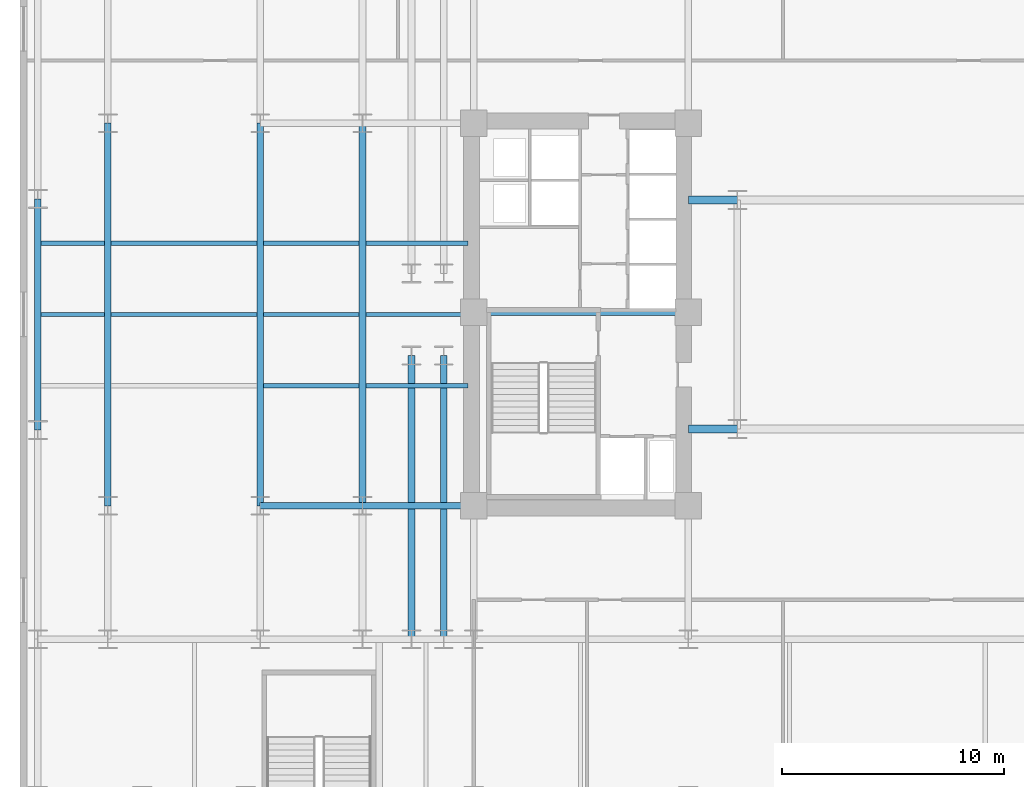
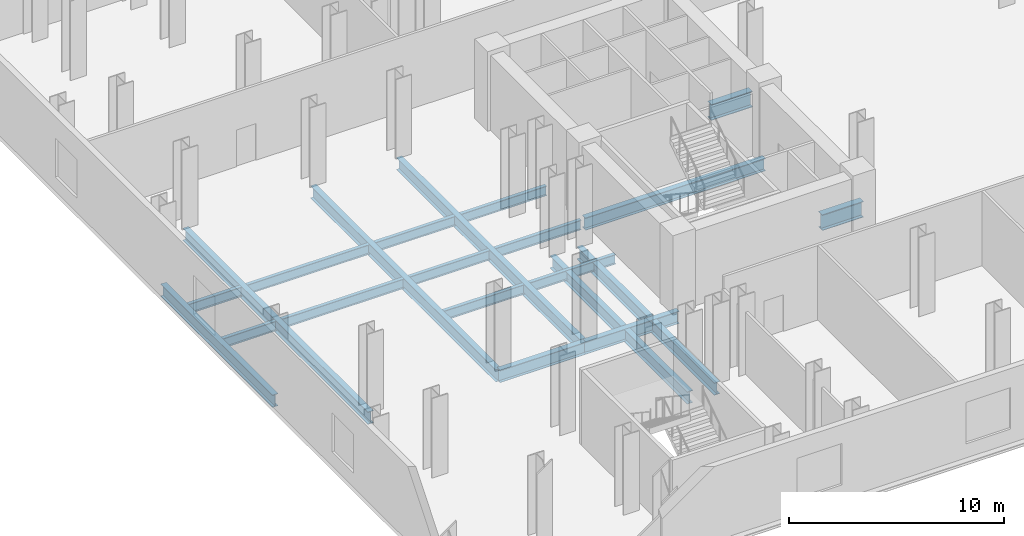
# One storey, part 2 of 13: 21 beams.
"""IFC4 building model written with IfcOpenShell, lengths in metres."""

from ifc_helpers import new_model, si_unit, direction, frame, origin, origin_2d, place, context, subcontext, project, spatial, i_section, extrude, material, material_profile, profile_set, type_object, element, save


model = new_model("IFC4")

# Units and contexts
model_context = context("Model", 3, precision=1e-05, world=origin(), true_north=direction((0.0, 1.0)))
body_context = subcontext(model_context, "Body", "Model", "MODEL_VIEW")
ifc_project = project(units=[si_unit("LENGTHUNIT", "METRE"), si_unit("AREAUNIT", "SQUARE_METRE"), si_unit("VOLUMEUNIT", "CUBIC_METRE"), si_unit("PLANEANGLEUNIT", "RADIAN"), si_unit("MASSUNIT", "GRAM", prefix="KILO")], contexts=[model_context])

# Site, building, storey
site_placement = place(None, origin())
site = spatial("IfcSite", under=ifc_project, at=site_placement, CompositionType="ELEMENT")
building_placement = place(site_placement, origin())
building = spatial("IfcBuilding", under=site, at=building_placement, Name="Velakula Bourse", CompositionType="ELEMENT")
storey_placement = place(building_placement, frame((0.0, 0.0, 9.60009765625)))
storey = spatial("IfcBuildingStorey", under=building, at=storey_placement, Name="L02", CompositionType="ELEMENT", Elevation=9.60009765625)

# Beams
ifc_material = material(Name="Steel IS 2062 Grade 350 (E350)", Category="steel")
ifc_material_profile_1 = material_profile(ifc_material, i_section(OverallWidth=0.35009765625, OverallDepth=0.89990234375, WebThickness=0.02001953125, FlangeThickness=0.031982421875, at=origin_2d()), Name="Steel IS 2062 Grade 350 (E350)")
ifc_profile_set_1 = profile_set([ifc_material_profile_1], Name="Steel IS 2062 Grade 350 (E350)")
beam_type_1 = type_object("IfcBeamType", Name="BM-LNK-900", PredefinedType="BEAM", material=ifc_profile_set_1)
for number, where, z_axis, x_axis, name in (
    (1, (-8.949951171875, -5.14990234375, -0.7001953125), (1.0, 0.0, 0.0), (0.0, 1.0, 0.0), "L02 Primary Backbone Girder LNK-S1"),
    (2, (-8.949951171875, 5.14990234375, -0.7001953125), (1.0, 0.0, 0.0), (0.0, 1.0, 0.0), "L02 Primary Backbone Girder LNK-N1"),
):
    element("IfcBeam", number, at=place(storey_placement, frame(where, z_axis=z_axis, x_axis=x_axis)), inside=storey, type_object=beam_type_1, Name=name, PredefinedType="BEAM", context=body_context, shape_type="SweptSolid", body=[
        extrude(i_section(OverallWidth=0.35009765625, OverallDepth=0.89990234375, WebThickness=0.02001953125, FlangeThickness=0.031982421875, at=origin_2d()), origin(), (0.0, 0.0, 1.0), 2.199951171875),
    ])
ifc_material_profile_2 = material_profile(ifc_material, i_section(OverallWidth=0.300048828125, OverallDepth=0.699951171875, WebThickness=0.01611328125, FlangeThickness=0.02490234375, at=origin_2d()), Name="Steel IS 2062 Grade 350 (E350)")
ifc_profile_set_2 = profile_set([ifc_material_profile_2], Name="Steel IS 2062 Grade 350 (E350)")
beam_type_2 = type_object("IfcBeamType", Name="BM-POD-700", PredefinedType="BEAM", material=ifc_profile_set_2)
beam_1_placement = place(storey_placement, frame((-18.60009765625, 0.10009765625, -0.60009765625), z_axis=(1.0, 0.0, 0.0), x_axis=(0.0, 1.0, 0.0)))
element("IfcBeam", 3, at=beam_1_placement, inside=storey, type_object=beam_type_2, Name="L02 Primary Backbone Girder CRW-M", PredefinedType="BEAM", context=body_context, shape_type="SweptSolid", body=[
    extrude(i_section(OverallWidth=0.300048828125, OverallDepth=0.699951171875, WebThickness=0.01611328125, FlangeThickness=0.02490234375, at=origin_2d()), origin(), (0.0, 0.0, 1.0), 9.650146484375),
])
for number, where, z_axis, x_axis, name in (
    (4, (-21.39990234375, -14.60009765625, -0.60009765625), (0.0, 1.0, 0.0), (-1.0, 0.0, 0.0), "L02 Fulcrum Grid Girder FLC-PSW1"),
    (5, (-19.949951171875, -14.60009765625, -0.60009765625), (0.0, 1.0, 0.0), (-1.0, 0.0, 0.0), "L02 Fulcrum Grid Girder FLC-PSW2"),
):
    element("IfcBeam", number, at=place(storey_placement, frame(where, z_axis=z_axis, x_axis=x_axis)), inside=storey, type_object=beam_type_2, Name=name, PredefinedType="BEAM", context=body_context, shape_type="SweptSolid", body=[
        extrude(i_section(OverallWidth=0.300048828125, OverallDepth=0.699951171875, WebThickness=0.01611328125, FlangeThickness=0.02490234375, at=origin_2d()), origin(), (0.0, 0.0, 1.0), 12.75),
    ])
beam_2_placement = place(storey_placement, frame((-23.60009765625, -8.60009765625, -0.60009765625), z_axis=(1.0, 0.0, 0.0), x_axis=(0.0, 1.0, 0.0)))
element("IfcBeam", 6, at=beam_2_placement, inside=storey, type_object=beam_type_2, Name="L02 Fulcrum Grid Girder MWG-WS2", PredefinedType="BEAM", context=body_context, shape_type="SweptSolid", body=[
    extrude(i_section(OverallWidth=0.300048828125, OverallDepth=0.699951171875, WebThickness=0.01611328125, FlangeThickness=0.02490234375, at=origin_2d()), origin(), (0.0, 0.0, 1.0), 5.0),
])
beam_3_placement = place(storey_placement, frame((-23.60009765625, -8.60009765625, -0.60009765625), z_axis=(0.0, 1.0, 0.0), x_axis=(-1.0, 0.0, 0.0)))
element("IfcBeam", 7, at=beam_3_placement, inside=storey, type_object=beam_type_2, Name="L02 Fulcrum Grid Girder MWG-WNS2", PredefinedType="BEAM", context=body_context, shape_type="SweptSolid", body=[
    extrude(i_section(OverallWidth=0.300048828125, OverallDepth=0.699951171875, WebThickness=0.01611328125, FlangeThickness=0.02490234375, at=origin_2d()), origin(), (0.0, 0.0, 1.0), 17.2001953125),
])
beam_4_placement = place(storey_placement, frame((-28.199951171875, -8.60009765625, -0.60009765625), z_axis=(1.0, 0.0, 0.0), x_axis=(0.0, 1.0, 0.0)))
element("IfcBeam", 8, at=beam_4_placement, inside=storey, type_object=beam_type_2, Name="L02 Fulcrum Grid Girder WNG-WS2", PredefinedType="BEAM", context=body_context, shape_type="SweptSolid", body=[
    extrude(i_section(OverallWidth=0.300048828125, OverallDepth=0.699951171875, WebThickness=0.01611328125, FlangeThickness=0.02490234375, at=origin_2d()), origin(), (0.0, 0.0, 1.0), 4.599853515625),
])
beam_5_placement = place(storey_placement, frame((-28.199951171875, -8.60009765625, -0.60009765625), z_axis=(0.0, 1.0, 0.0), x_axis=(-1.0, 0.0, 0.0)))
element("IfcBeam", 9, at=beam_5_placement, inside=storey, type_object=beam_type_2, Name="L02 Fulcrum Grid Girder WNG-WNS2", PredefinedType="BEAM", context=body_context, shape_type="SweptSolid", body=[
    extrude(i_section(OverallWidth=0.300048828125, OverallDepth=0.699951171875, WebThickness=0.01611328125, FlangeThickness=0.02490234375, at=origin_2d()), origin(), (0.0, 0.0, 1.0), 17.2001953125),
])
beam_6_placement = place(storey_placement, frame((-38.199951171875, -5.199951171875, -0.60009765625), z_axis=(0.0, 1.0, 0.0), x_axis=(-1.0, 0.0, 0.0)))
element("IfcBeam", 10, at=beam_6_placement, inside=storey, type_object=beam_type_2, Name="L02 Podium N-S Girder 68", PredefinedType="BEAM", context=body_context, shape_type="SweptSolid", body=[
    extrude(i_section(OverallWidth=0.300048828125, OverallDepth=0.699951171875, WebThickness=0.01611328125, FlangeThickness=0.02490234375, at=origin_2d()), origin(), (0.0, 0.0, 1.0), 10.39990234375),
])
beam_7_placement = place(storey_placement, frame((-35.050048828125, -8.60009765625, -0.60009765625), z_axis=(0.0, 1.0, 0.0), x_axis=(-1.0, 0.0, 0.0)))
element("IfcBeam", 11, at=beam_7_placement, inside=storey, type_object=beam_type_2, Name="L02 Podium N-S Girder 73", PredefinedType="BEAM", context=body_context, shape_type="SweptSolid", body=[
    extrude(i_section(OverallWidth=0.300048828125, OverallDepth=0.699951171875, WebThickness=0.01611328125, FlangeThickness=0.02490234375, at=origin_2d()), origin(), (0.0, 0.0, 1.0), 17.2001953125),
])
ifc_material_profile_3 = material_profile(ifc_material, i_section(OverallWidth=0.18994140625, OverallDepth=0.550048828125, WebThickness=0.01123046875, FlangeThickness=0.019287109375, at=origin_2d()), Name="Steel IS 2062 Grade 350 (E350)")
ifc_profile_set_3 = profile_set([ifc_material_profile_3], Name="Steel IS 2062 Grade 350 (E350)")
beam_type_3 = type_object("IfcBeamType", Name="JST-POD-550", PredefinedType="JOIST", material=ifc_profile_set_3)
beam_8_placement = place(storey_placement, frame((-28.050048828125, -3.199951171875, -0.525146484375), z_axis=(1.0, 0.0, 0.0), x_axis=(0.0, 1.0, 0.0)))
element("IfcBeam", 12, at=beam_8_placement, inside=storey, type_object=beam_type_3, Name="L02 Station Wing Floor Joist 35", PredefinedType="JOIST", context=body_context, shape_type="SweptSolid", body=[
    extrude(i_section(OverallWidth=0.18994140625, OverallDepth=0.550048828125, WebThickness=0.01123046875, FlangeThickness=0.019287109375, at=origin_2d()), origin(), (0.0, 0.0, 1.0), 4.300048828125),
])
beam_9_placement = place(storey_placement, frame((-23.449951171875, -3.199951171875, -0.525146484375), z_axis=(1.0, 0.0, 0.0), x_axis=(0.0, 1.0, 0.0)))
element("IfcBeam", 13, at=beam_9_placement, inside=storey, type_object=beam_type_3, Name="L02 Station Wing Floor Joist 36", PredefinedType="JOIST", context=body_context, shape_type="SweptSolid", body=[
    extrude(i_section(OverallWidth=0.18994140625, OverallDepth=0.550048828125, WebThickness=0.01123046875, FlangeThickness=0.019287109375, at=origin_2d()), origin(), (0.0, 0.0, 1.0), 4.599853515625),
])
beam_10_placement = place(storey_placement, frame((-38.050048828125, 0.0, -0.525146484375), z_axis=(1.0, 0.0, 0.0), x_axis=(0.0, 1.0, 0.0)))
element("IfcBeam", 14, at=beam_10_placement, inside=storey, type_object=beam_type_3, Name="L02 Station Wing Floor Joist 41", PredefinedType="JOIST", context=body_context, shape_type="SweptSolid", body=[
    extrude(i_section(OverallWidth=0.18994140625, OverallDepth=0.550048828125, WebThickness=0.01123046875, FlangeThickness=0.019287109375, at=origin_2d()), origin(), (0.0, 0.0, 1.0), 2.85009765625),
])
beam_11_placement = place(storey_placement, frame((-34.89990234375, 0.0, -0.525146484375), z_axis=(1.0, 0.0, 0.0), x_axis=(0.0, 1.0, 0.0)))
element("IfcBeam", 15, at=beam_11_placement, inside=storey, type_object=beam_type_3, Name="L02 Station Wing Floor Joist 42", PredefinedType="JOIST", context=body_context, shape_type="SweptSolid", body=[
    extrude(i_section(OverallWidth=0.18994140625, OverallDepth=0.550048828125, WebThickness=0.01123046875, FlangeThickness=0.019287109375, at=origin_2d()), origin(), (0.0, 0.0, 1.0), 6.5498046875),
])
beam_12_placement = place(storey_placement, frame((-28.050048828125, 0.0, -0.525146484375), z_axis=(1.0, 0.0, 0.0), x_axis=(0.0, 1.0, 0.0)))
element("IfcBeam", 16, at=beam_12_placement, inside=storey, type_object=beam_type_3, Name="L02 Station Wing Floor Joist 43", PredefinedType="JOIST", context=body_context, shape_type="SweptSolid", body=[
    extrude(i_section(OverallWidth=0.18994140625, OverallDepth=0.550048828125, WebThickness=0.01123046875, FlangeThickness=0.019287109375, at=origin_2d()), origin(), (0.0, 0.0, 1.0), 4.300048828125),
])
beam_13_placement = place(storey_placement, frame((-23.449951171875, 0.0, -0.525146484375), z_axis=(1.0, 0.0, 0.0), x_axis=(0.0, 1.0, 0.0)))
element("IfcBeam", 17, at=beam_13_placement, inside=storey, type_object=beam_type_3, Name="L02 Station Wing Floor Joist 44", PredefinedType="JOIST", context=body_context, shape_type="SweptSolid", body=[
    extrude(i_section(OverallWidth=0.18994140625, OverallDepth=0.550048828125, WebThickness=0.01123046875, FlangeThickness=0.019287109375, at=origin_2d()), origin(), (0.0, 0.0, 1.0), 4.599853515625),
])
beam_14_placement = place(storey_placement, frame((-38.050048828125, 3.199951171875, -0.525146484375), z_axis=(1.0, 0.0, 0.0), x_axis=(0.0, 1.0, 0.0)))
element("IfcBeam", 18, at=beam_14_placement, inside=storey, type_object=beam_type_3, Name="L02 Station Wing Floor Joist 49", PredefinedType="JOIST", context=body_context, shape_type="SweptSolid", body=[
    extrude(i_section(OverallWidth=0.18994140625, OverallDepth=0.550048828125, WebThickness=0.01123046875, FlangeThickness=0.019287109375, at=origin_2d()), origin(), (0.0, 0.0, 1.0), 2.85009765625),
])
beam_15_placement = place(storey_placement, frame((-34.89990234375, 3.199951171875, -0.525146484375), z_axis=(1.0, 0.0, 0.0), x_axis=(0.0, 1.0, 0.0)))
element("IfcBeam", 19, at=beam_15_placement, inside=storey, type_object=beam_type_3, Name="L02 Station Wing Floor Joist 50", PredefinedType="JOIST", context=body_context, shape_type="SweptSolid", body=[
    extrude(i_section(OverallWidth=0.18994140625, OverallDepth=0.550048828125, WebThickness=0.01123046875, FlangeThickness=0.019287109375, at=origin_2d()), origin(), (0.0, 0.0, 1.0), 6.5498046875),
])
beam_16_placement = place(storey_placement, frame((-28.050048828125, 3.199951171875, -0.525146484375), z_axis=(1.0, 0.0, 0.0), x_axis=(0.0, 1.0, 0.0)))
element("IfcBeam", 20, at=beam_16_placement, inside=storey, type_object=beam_type_3, Name="L02 Station Wing Floor Joist 51", PredefinedType="JOIST", context=body_context, shape_type="SweptSolid", body=[
    extrude(i_section(OverallWidth=0.18994140625, OverallDepth=0.550048828125, WebThickness=0.01123046875, FlangeThickness=0.019287109375, at=origin_2d()), origin(), (0.0, 0.0, 1.0), 4.300048828125),
])
beam_17_placement = place(storey_placement, frame((-23.449951171875, 3.199951171875, -0.525146484375), z_axis=(1.0, 0.0, 0.0), x_axis=(0.0, 1.0, 0.0)))
element("IfcBeam", 21, at=beam_17_placement, inside=storey, type_object=beam_type_3, Name="L02 Station Wing Floor Joist 52", PredefinedType="JOIST", context=body_context, shape_type="SweptSolid", body=[
    extrude(i_section(OverallWidth=0.18994140625, OverallDepth=0.550048828125, WebThickness=0.01123046875, FlangeThickness=0.019287109375, at=origin_2d()), origin(), (0.0, 0.0, 1.0), 4.599853515625),
])

save(model, "model.ifc")
